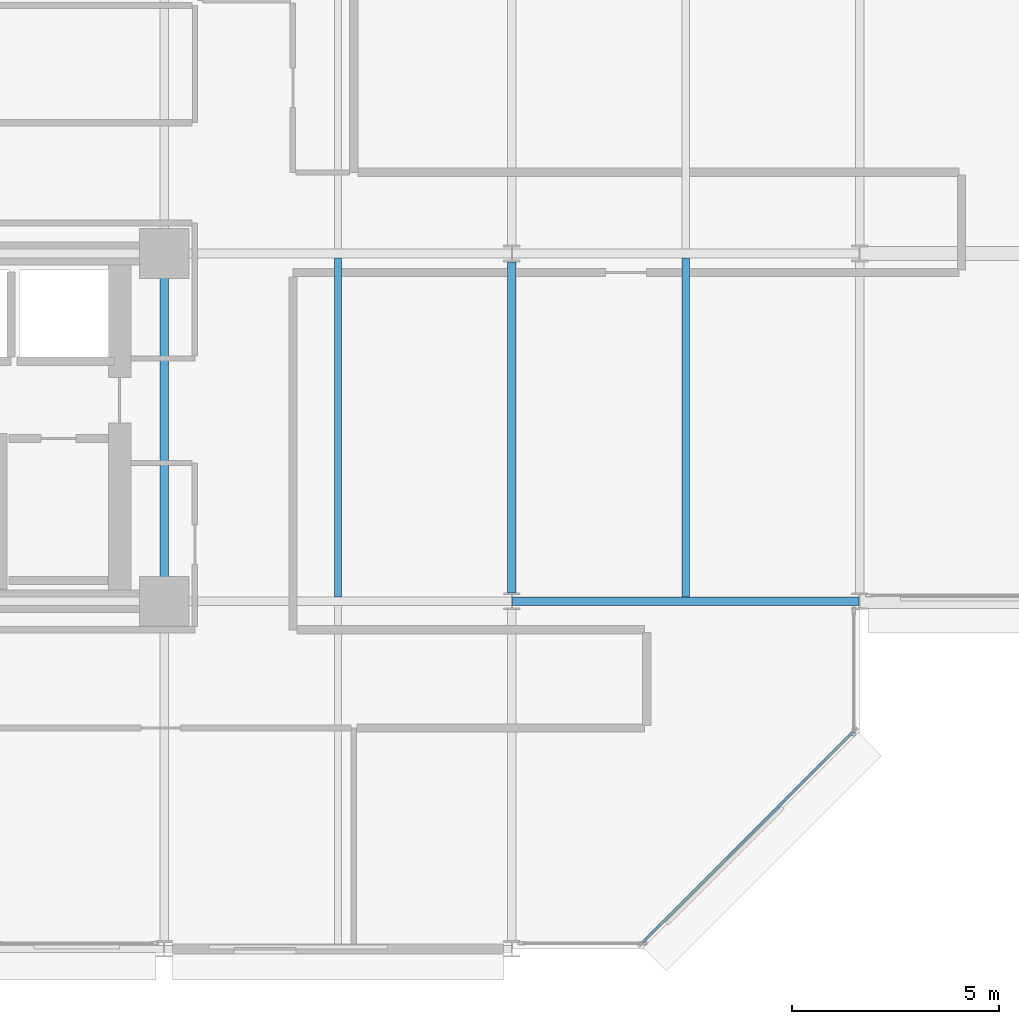
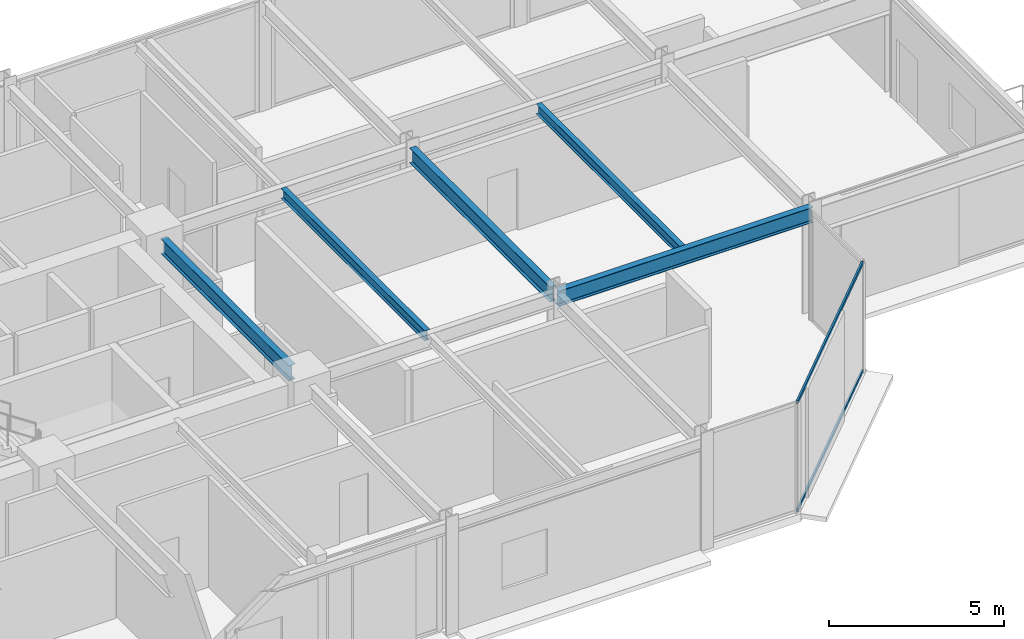
# One storey, part 17 of 39: 5 beams, 2 members, 1 element without a shape of its own.
"""IFC4 building model written with IfcOpenShell, lengths in metres."""

from ifc_helpers import new_model, si_unit, direction, frame, origin, origin_2d, place, context, subcontext, project, spatial, hollow_rectangle, i_section, extrude, material, layer, layer_set, material_profile, profile_set, type_object, element, aggregate, save


model = new_model("IFC4")

# Units and contexts
model_context = context("Model", 3, precision=1e-05, world=origin(), true_north=direction((0.0, 1.0)))
body_context = subcontext(model_context, "Body", "Model", "MODEL_VIEW")
ifc_project = project(units=[si_unit("LENGTHUNIT", "METRE"), si_unit("AREAUNIT", "SQUARE_METRE"), si_unit("VOLUMEUNIT", "CUBIC_METRE"), si_unit("PLANEANGLEUNIT", "RADIAN"), si_unit("MASSUNIT", "GRAM", prefix="KILO")], contexts=[model_context])

# Site, building, storey
site_placement = place(None, origin())
site = spatial("IfcSite", under=ifc_project, at=site_placement, CompositionType="ELEMENT")
building_placement = place(site_placement, origin())
building = spatial("IfcBuilding", under=site, at=building_placement, Name="Nerrivon Quay Data Exchange", CompositionType="ELEMENT")
storey_placement = place(building_placement, frame((0.0, 0.0, 92.60009765625)))
storey = spatial("IfcBuildingStorey", under=building, at=storey_placement, Name="L21", CompositionType="ELEMENT", Elevation=92.60009765625)

# Beams
ifc_material_1 = material(Name="Steel Grade 350", Category="steel")
ifc_material_profile_1 = material_profile(ifc_material_1, i_section(OverallWidth=0.208984375, OverallDepth=0.532958984375, WebThickness=0.01025390625, FlangeThickness=0.015625, FilletRadius=0.013916015625, at=origin_2d()), Name="530UB92.4")
ifc_profile_set_1 = profile_set([ifc_material_profile_1], Name="Steel Grade 350")
beam_type_1 = type_object("IfcBeamType", Name="BM-G3-530UB92", PredefinedType="BEAM", material=ifc_profile_set_1)
beam_1_placement = place(storey_placement, frame((42.012451171875, 8.39990234375, 3.558349609375), z_axis=(1.0, 0.0, 0.0), x_axis=(0.0, 1.0, 0.0)))
element("IfcBeam", 1, at=beam_1_placement, inside=storey, type_object=beam_type_1, Name="L21 EW Girder Y=8.4 (42.0..50.4)", PredefinedType="BEAM", context=body_context, shape_type="SweptSolid", body=[
    extrude(i_section(OverallWidth=0.208984375, OverallDepth=0.532958984375, WebThickness=0.01025390625, FlangeThickness=0.015625, FilletRadius=0.013916015625, at=origin_2d()), origin(), (0.0, 0.0, 1.0), 8.375),
])
ifc_material_profile_2 = material_profile(ifc_material_1, i_section(OverallWidth=0.208984375, OverallDepth=0.528076171875, WebThickness=0.009521484375, FlangeThickness=0.01318359375, FilletRadius=0.013916015625, at=origin_2d()), Name="530UB82.0")
ifc_profile_set_2 = profile_set([ifc_material_profile_2], Name="Steel Grade 350")
beam_type_2 = type_object("IfcBeamType", Name="BM-G4-530UB82", PredefinedType="BEAM", material=ifc_profile_set_2)
beam_2_placement = place(storey_placement, frame((33.60009765625, 8.93994140625, 3.560791015625), z_axis=(0.0, 1.0, 0.0), x_axis=(-1.0, 0.0, 0.0)))
element("IfcBeam", 2, at=beam_2_placement, inside=storey, type_object=beam_type_2, Name="L21 NS Girder X=33.6 (8.4..16.8)", PredefinedType="BEAM", context=body_context, shape_type="SweptSolid", body=[
    extrude(i_section(OverallWidth=0.208984375, OverallDepth=0.528076171875, WebThickness=0.009521484375, FlangeThickness=0.01318359375, FilletRadius=0.013916015625, at=origin_2d()), origin(), (0.0, 0.0, 1.0), 7.320068359375),
])
beam_3_placement = place(storey_placement, frame((42.0, 8.60009765625, 3.560791015625), z_axis=(0.0, 1.0, 0.0), x_axis=(-1.0, 0.0, 0.0)))
element("IfcBeam", 3, at=beam_3_placement, inside=storey, type_object=beam_type_2, Name="L21 NS Girder X=42.0 (8.4..16.8)", PredefinedType="BEAM", context=body_context, shape_type="SweptSolid", body=[
    extrude(i_section(OverallWidth=0.208984375, OverallDepth=0.528076171875, WebThickness=0.009521484375, FlangeThickness=0.01318359375, FilletRadius=0.013916015625, at=origin_2d()), origin(), (0.0, 0.0, 1.0), 8.0),
])
ifc_material_profile_3 = material_profile(ifc_material_1, i_section(OverallWidth=0.1708984375, OverallDepth=0.35595703125, WebThickness=0.00732421875, FlangeThickness=0.011474609375, FilletRadius=0.011474609375, at=origin_2d()), Name="360UB50.7")
ifc_profile_set_3 = profile_set([ifc_material_profile_3], Name="Steel Grade 350")
beam_type_3 = type_object("IfcBeamType", Name="BM-J4-360UB51", PredefinedType="JOIST", material=ifc_profile_set_3)
for number, where, z_axis, x_axis, name in (
    (4, (37.800048828125, 8.50439453125, 3.64697265625), (0.0, 1.0, 0.0), (-1.0, 0.0, 0.0), "L21 Secondary Joist X=37.8 (8.4..16.8)"),
    (5, (46.199951171875, 8.50439453125, 3.64697265625), (0.0, 1.0, 0.0), (-1.0, 0.0, 0.0), "L21 Secondary Joist X=46.2 (8.4..16.8)"),
):
    element("IfcBeam", number, at=place(storey_placement, frame(where, z_axis=z_axis, x_axis=x_axis)), inside=storey, type_object=beam_type_3, Name=name, PredefinedType="JOIST", context=body_context, shape_type="SweptSolid", body=[
        extrude(i_section(OverallWidth=0.1708984375, OverallDepth=0.35595703125, WebThickness=0.00732421875, FlangeThickness=0.011474609375, FilletRadius=0.011474609375, at=origin_2d()), origin(), (0.0, 0.0, 1.0), 8.191162109375),
    ])

# Curtain wall, members
ifc_material_2 = material(Name="Anodised aluminium 6063-T6", Category="aluminium")
ifc_layer = layer(ifc_material_2, 0.2099609375)
ifc_layer_set = layer_set([ifc_layer], Name="Anodised aluminium 6063-T6")
curtain_wall_type = type_object("IfcCurtainWallType", Name="CW-SYS-02", PredefinedType="NOTDEFINED", material=ifc_layer_set)
curtain_wall_placement = place(storey_placement, origin())
curtain_wall = element("IfcCurtainWall", 6, at=curtain_wall_placement, inside=storey, type_object=curtain_wall_type, Name="L21 Unitised Curtain Wall 5", PredefinedType="NOTDEFINED")
ifc_material_profile_4 = material_profile(ifc_material_2, hollow_rectangle(XDim=0.06005859375, YDim=0.1201171875, WallThickness=0.003173828125, at=origin_2d()), Name="ALU-TRAN-120x60")
ifc_profile_set_4 = profile_set([ifc_material_profile_4], Name="Anodised aluminium 6063-T6")
member_type = type_object("IfcMemberType", Name="CWT-120x60", PredefinedType="USERDEFINED", material=ifc_profile_set_4)
member_1_placement = place(storey_placement, frame((50.248046875, 5.245849609375, 0.032470703125), z_axis=(-0.707123726196, -0.707089835771, 0.0), x_axis=(0.707089835771, -0.707123726196, 0.0)))
member_1 = element("IfcMember", 7, at=member_1_placement, type_object=member_type, Name="CW02 transom 1.1", ObjectType="TRANSOM", PredefinedType="USERDEFINED", context=body_context, shape_type="SweptSolid", body=[
    extrude(hollow_rectangle(XDim=0.06005859375, YDim=0.1201171875, WallThickness=0.003173828125, at=origin_2d()), origin(), (0.0, 0.0, 1.0), 7.203857421875),
])
member_2_placement = place(storey_placement, frame((50.248046875, 5.245849609375, 3.79248046875), z_axis=(-0.707123726196, -0.707089835771, 0.0), x_axis=(0.707089835771, -0.707123726196, 0.0)))
member_2 = element("IfcMember", 8, at=member_2_placement, type_object=member_type, Name="CW02 transom 1.2", ObjectType="TRANSOM", PredefinedType="USERDEFINED", context=body_context, shape_type="SweptSolid", body=[
    extrude(hollow_rectangle(XDim=0.06005859375, YDim=0.1201171875, WallThickness=0.003173828125, at=origin_2d()), origin(), (0.0, 0.0, 1.0), 7.203857421875),
])
aggregate(curtain_wall, [member_1, member_2])

save(model, "model.ifc")
